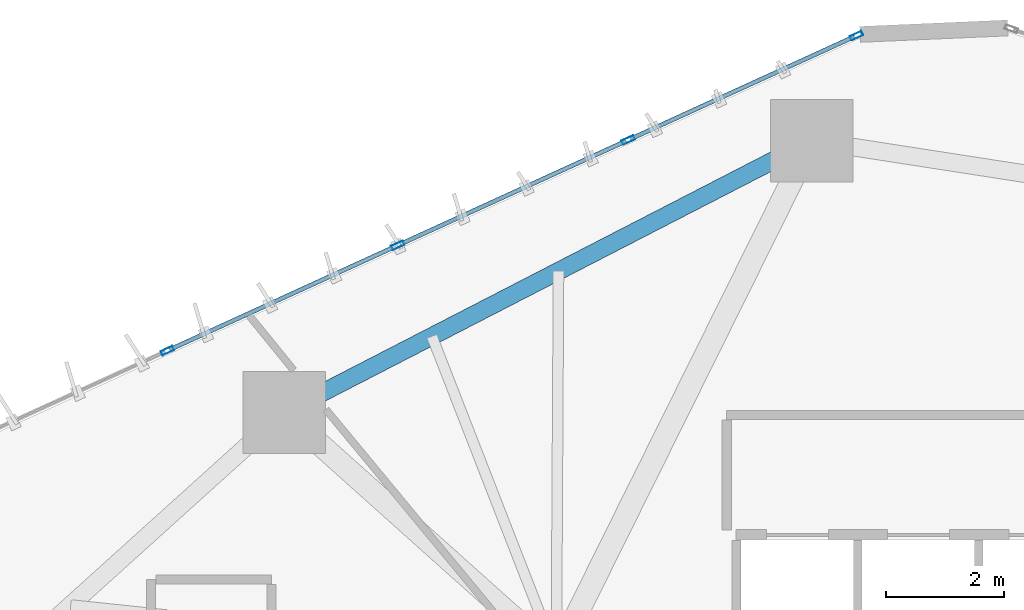
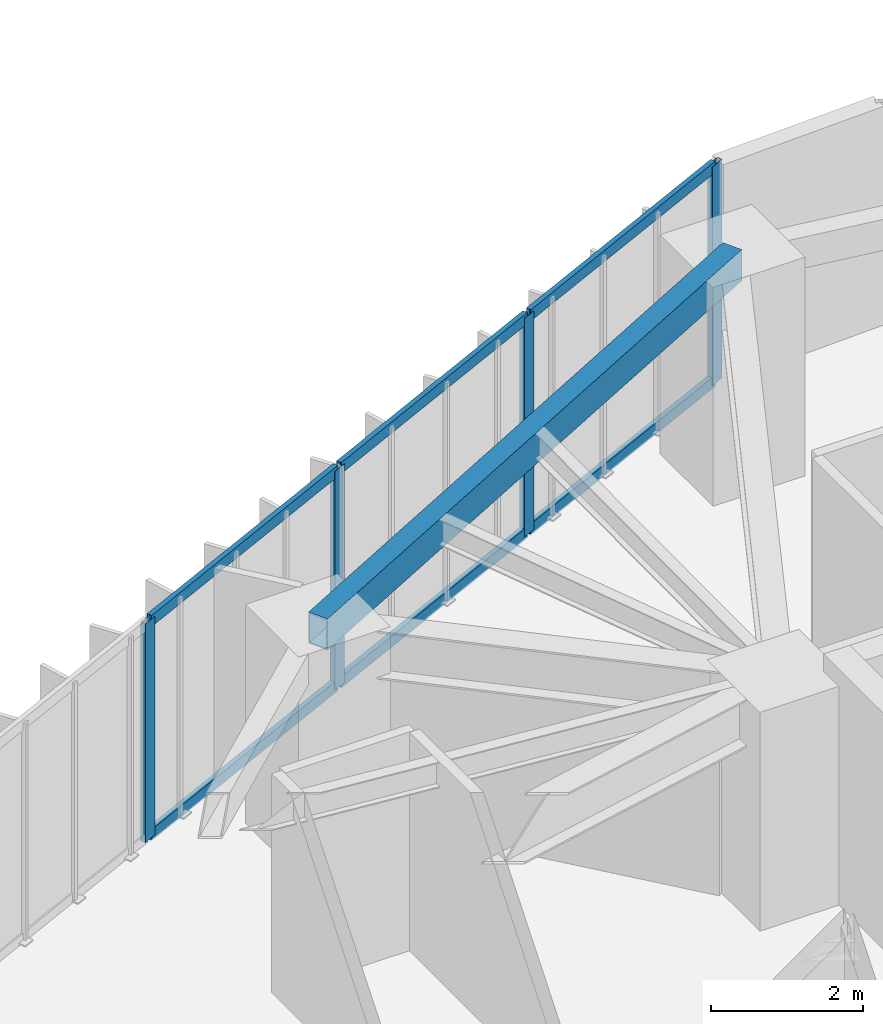
# One storey, part 15 of 24: 10 members, 1 beam, 1 element without a shape of its own.
"""IFC4 building model written with IfcOpenShell, lengths in metres."""

from ifc_helpers import new_model, si_unit, direction, frame, origin, origin_2d, place, context, subcontext, project, spatial, hollow_rectangle, extrude, source, transform, mapped, material, layer, layer_set, material_profile, profile_set, type_object, type_shapes, element, aggregate, save


model = new_model("IFC4")

# Units and contexts
model_context = context("Model", 3, precision=1e-05, world=origin(), true_north=direction((0.0, 1.0)))
body_context = subcontext(model_context, "Body", "Model", "MODEL_VIEW")
ifc_project = project(units=[si_unit("LENGTHUNIT", "METRE"), si_unit("AREAUNIT", "SQUARE_METRE"), si_unit("VOLUMEUNIT", "CUBIC_METRE"), si_unit("PLANEANGLEUNIT", "RADIAN"), si_unit("MASSUNIT", "GRAM", prefix="KILO")], contexts=[model_context])

# Site, building, storey
site_placement = place(None, origin())
site = spatial("IfcSite", under=ifc_project, at=site_placement, CompositionType="ELEMENT")
building_placement = place(site_placement, origin())
building = spatial("IfcBuilding", under=site, at=building_placement, Name="Talar Marvaseh", CompositionType="ELEMENT")
storey_placement = place(building_placement, frame((0.0, 0.0, 31.60009765625)))
storey = spatial("IfcBuildingStorey", under=building, at=storey_placement, Name="L07", CompositionType="ELEMENT", Elevation=31.60009765625)

# Beam
ifc_material_1 = material(Name="Steel S355", Category="steel")
ifc_material_profile_1 = material_profile(ifc_material_1, hollow_rectangle(XDim=0.300048828125, YDim=0.5, WallThickness=0.02001953125, at=origin_2d()), Name="RHS500x300x20")
ifc_profile_set_1 = profile_set([ifc_material_profile_1], Name="Steel S355")
beam_type = type_object("IfcBeamType", Name="Zone 1 Perimeter Spandrel Beam RHS500x300x20", PredefinedType="SPANDREL", material=ifc_profile_set_1)
beam_placement = place(storey_placement, frame((14.069091796875, 41.04296875, 3.27001953125), z_axis=(0.889015710182, 0.457876694155, 0.0), x_axis=(-0.457876694155, 0.889015710182, 0.0)))
element("IfcBeam", 1, at=beam_placement, inside=storey, type_object=beam_type, Name="L07 Zone 1 Perimeter Spandrel Beam RHS500x300x20", PredefinedType="SPANDREL", context=body_context, shape_type="SweptSolid", body=[
    extrude(hollow_rectangle(XDim=0.300048828125, YDim=0.5, WallThickness=0.02001953125, at=origin_2d()), origin(), (0.0, 0.0, 1.0), 10.098876953125),
])

# Curtain wall, members
ifc_material_2 = material(Name="Architectural Aluminium", Category="aluminium")
ifc_layer = layer(ifc_material_2, 0.219970703125)
ifc_layer_set = layer_set([ifc_layer], Name="Architectural Aluminium")
curtain_wall_type = type_object("IfcCurtainWallType", Name="Unitised Low-E Museum Curtain Wall Z1", PredefinedType="NOTDEFINED", material=ifc_layer_set)
curtain_wall_placement = place(storey_placement, origin())
curtain_wall = element("IfcCurtainWall", 2, at=curtain_wall_placement, inside=storey, type_object=curtain_wall_type, Name="L07 Unitised Low-E Museum Curtain Wall Z1", PredefinedType="NOTDEFINED")
ifc_material_profile_2 = material_profile(ifc_material_2, hollow_rectangle(XDim=0.080078125, YDim=0.219970703125, WallThickness=0.0048828125, at=origin_2d()), Name="RHS220x80x5")
ifc_profile_set_2 = profile_set([ifc_material_profile_2], Name="Architectural Aluminium")
member_type_1 = type_object("IfcMemberType", Name="Unitised Curtain Wall Heavy Mullion RHS220x80x5", PredefinedType="MULLION", material=ifc_profile_set_2)
shared_shape_1 = source(origin(), body_context, "Body", "SweptSolid", [
    extrude(hollow_rectangle(XDim=0.080078125, YDim=0.219970703125, WallThickness=0.0048828125, at=origin_2d()), origin(), (0.0, 0.0, 1.0), 3.52001953125),
])
type_shapes(member_type_1, [shared_shape_1])
member_1_placement = place(storey_placement, frame((12.081787109375, 42.092529296875, 0.0), z_axis=(0.0, 0.0, 1.0), x_axis=(-0.415769899778, 0.909469840313, 0.0)))
member_1 = element("IfcMember", 3, at=member_1_placement, type_object=member_type_1, Name="CW-Z1 mullion 2", PredefinedType="MULLION", context=body_context, shape_type="MappedRepresentation", body=[
    mapped(shared_shape_1, transform((0.0, 0.0, 0.0), x_axis=(1.0, 0.0, 0.0), y_axis=(0.0, 1.0, 0.0), z_axis=(0.0, 0.0, 1.0), scale=1.0)),
])
member_2_placement = place(storey_placement, frame((16.003173828125, 43.88525390625, 0.0), z_axis=(0.0, 0.0, 1.0), x_axis=(-0.415769899778, 0.909469840313, 0.0)))
member_2 = element("IfcMember", 4, at=member_2_placement, type_object=member_type_1, Name="CW-Z1 mullion 3", PredefinedType="MULLION", context=body_context, shape_type="MappedRepresentation", body=[
    mapped(shared_shape_1, transform((0.0, 0.0, 0.0), x_axis=(1.0, 0.0, 0.0), y_axis=(0.0, 1.0, 0.0), z_axis=(0.0, 0.0, 1.0), scale=1.0)),
])
member_3_placement = place(storey_placement, frame((19.9248046875, 45.677978515625, 0.0), z_axis=(0.0, 0.0, 1.0), x_axis=(-0.415769899778, 0.909469840313, 0.0)))
member_3 = element("IfcMember", 5, at=member_3_placement, type_object=member_type_1, Name="CW-Z1 mullion 4", PredefinedType="MULLION", context=body_context, shape_type="MappedRepresentation", body=[
    mapped(shared_shape_1, transform((0.0, 0.0, 0.0), x_axis=(1.0, 0.0, 0.0), y_axis=(0.0, 1.0, 0.0), z_axis=(0.0, 0.0, 1.0), scale=1.0)),
])
member_4_placement = place(storey_placement, frame((23.809814453125, 47.4541015625, 0.0), z_axis=(0.0, 0.0, 1.0), x_axis=(-0.415769899778, 0.909469840313, 0.0)))
member_4 = element("IfcMember", 6, at=member_4_placement, type_object=member_type_1, Name="CW-Z1 mullion 5", PredefinedType="MULLION", context=body_context, shape_type="MappedRepresentation", body=[
    mapped(shared_shape_1, transform((0.0, 0.0, 0.0), x_axis=(1.0, 0.0, 0.0), y_axis=(0.0, 1.0, 0.0), z_axis=(0.0, 0.0, 1.0), scale=1.0)),
])
ifc_material_profile_3 = material_profile(ifc_material_2, hollow_rectangle(XDim=0.074951171875, YDim=0.179931640625, WallThickness=0.0048828125, at=origin_2d()), Name="RHS180x75x5")
ifc_profile_set_3 = profile_set([ifc_material_profile_3], Name="Architectural Aluminium")
member_type_2 = type_object("IfcMemberType", Name="Unitised Curtain Wall Transom RHS180x75x5", PredefinedType="USERDEFINED", material=ifc_profile_set_3)
shared_shape_2 = source(origin(), body_context, "Body", "SweptSolid", [
    extrude(hollow_rectangle(XDim=0.074951171875, YDim=0.179931640625, WallThickness=0.0048828125, at=origin_2d()), origin(), (0.0, 0.0, 1.0), 4.19189453125),
])
member_5_placement = place(storey_placement, frame((19.961181640625, 45.694580078125, 0.037353515625), z_axis=(0.909458744311, 0.41579417071, 0.0), x_axis=(-0.41579417071, 0.909458744311, 0.0)))
member_5 = element("IfcMember", 7, at=member_5_placement, type_object=member_type_2, Name="CW-Z1 transom 4.1", ObjectType="TRANSOM", PredefinedType="USERDEFINED", context=body_context, shape_type="MappedRepresentation", body=[
    mapped(shared_shape_2, transform((0.0, 0.0, 0.0), x_axis=(1.0, 0.0, 0.0), y_axis=(0.0, 1.0, 0.0), z_axis=(0.0, 0.0, 1.0), scale=1.0)),
])
member_6_placement = place(storey_placement, frame((19.961181640625, 45.694580078125, 3.482421875), z_axis=(0.909458744311, 0.41579417071, 0.0), x_axis=(-0.41579417071, 0.909458744311, 0.0)))
member_6 = element("IfcMember", 8, at=member_6_placement, type_object=member_type_2, Name="CW-Z1 transom 4.2", ObjectType="TRANSOM", PredefinedType="USERDEFINED", context=body_context, shape_type="MappedRepresentation", body=[
    mapped(shared_shape_2, transform((0.0, 0.0, 0.0), x_axis=(1.0, 0.0, 0.0), y_axis=(0.0, 1.0, 0.0), z_axis=(0.0, 0.0, 1.0), scale=1.0)),
])
shared_shape_3 = source(origin(), body_context, "Body", "SweptSolid", [
    extrude(hollow_rectangle(XDim=0.074951171875, YDim=0.179931640625, WallThickness=0.0048828125, at=origin_2d()), origin(), (0.0, 0.0, 1.0), 4.23193359375),
])
member_7_placement = place(storey_placement, frame((16.03955078125, 43.90185546875, 0.037353515625), z_axis=(0.909471359327, 0.415766577017, 0.0), x_axis=(-0.415766577017, 0.909471359327, 0.0)))
member_7 = element("IfcMember", 9, at=member_7_placement, type_object=member_type_2, Name="CW-Z1 transom 3.1", ObjectType="TRANSOM", PredefinedType="USERDEFINED", context=body_context, shape_type="MappedRepresentation", body=[
    mapped(shared_shape_3, transform((0.0, 0.0, 0.0), x_axis=(1.0, 0.0, 0.0), y_axis=(0.0, 1.0, 0.0), z_axis=(0.0, 0.0, 1.0), scale=1.0)),
])
member_8_placement = place(storey_placement, frame((16.03955078125, 43.90185546875, 3.482421875), z_axis=(0.909471359327, 0.415766577017, 0.0), x_axis=(-0.415766577017, 0.909471359327, 0.0)))
member_8 = element("IfcMember", 10, at=member_8_placement, type_object=member_type_2, Name="CW-Z1 transom 3.2", ObjectType="TRANSOM", PredefinedType="USERDEFINED", context=body_context, shape_type="MappedRepresentation", body=[
    mapped(shared_shape_3, transform((0.0, 0.0, 0.0), x_axis=(1.0, 0.0, 0.0), y_axis=(0.0, 1.0, 0.0), z_axis=(0.0, 0.0, 1.0), scale=1.0)),
])
shared_shape_4 = source(origin(), body_context, "Body", "SweptSolid", [
    extrude(hollow_rectangle(XDim=0.074951171875, YDim=0.179931640625, WallThickness=0.0048828125, at=origin_2d()), origin(), (0.0, 0.0, 1.0), 4.231689453125),
])
type_shapes(member_type_2, [shared_shape_2, shared_shape_3, shared_shape_4])
member_9_placement = place(storey_placement, frame((12.1181640625, 42.109130859375, 0.037353515625), z_axis=(0.909461386268, 0.415788391958, 0.0), x_axis=(-0.415788391958, 0.909461386268, 0.0)))
member_9 = element("IfcMember", 11, at=member_9_placement, type_object=member_type_2, Name="CW-Z1 transom 2.1", ObjectType="TRANSOM", PredefinedType="USERDEFINED", context=body_context, shape_type="MappedRepresentation", body=[
    mapped(shared_shape_4, transform((0.0, 0.0, 0.0), x_axis=(1.0, 0.0, 0.0), y_axis=(0.0, 1.0, 0.0), z_axis=(0.0, 0.0, 1.0), scale=1.0)),
])
member_10_placement = place(storey_placement, frame((12.1181640625, 42.109130859375, 3.482421875), z_axis=(0.909461386268, 0.415788391958, 0.0), x_axis=(-0.415788391958, 0.909461386268, 0.0)))
member_10 = element("IfcMember", 12, at=member_10_placement, type_object=member_type_2, Name="CW-Z1 transom 2.2", ObjectType="TRANSOM", PredefinedType="USERDEFINED", context=body_context, shape_type="MappedRepresentation", body=[
    mapped(shared_shape_4, transform((0.0, 0.0, 0.0), x_axis=(1.0, 0.0, 0.0), y_axis=(0.0, 1.0, 0.0), z_axis=(0.0, 0.0, 1.0), scale=1.0)),
])
aggregate(curtain_wall, [member_1, member_2, member_3, member_4, member_9, member_10, member_7, member_8, member_5, member_6])

save(model, "model.ifc")
